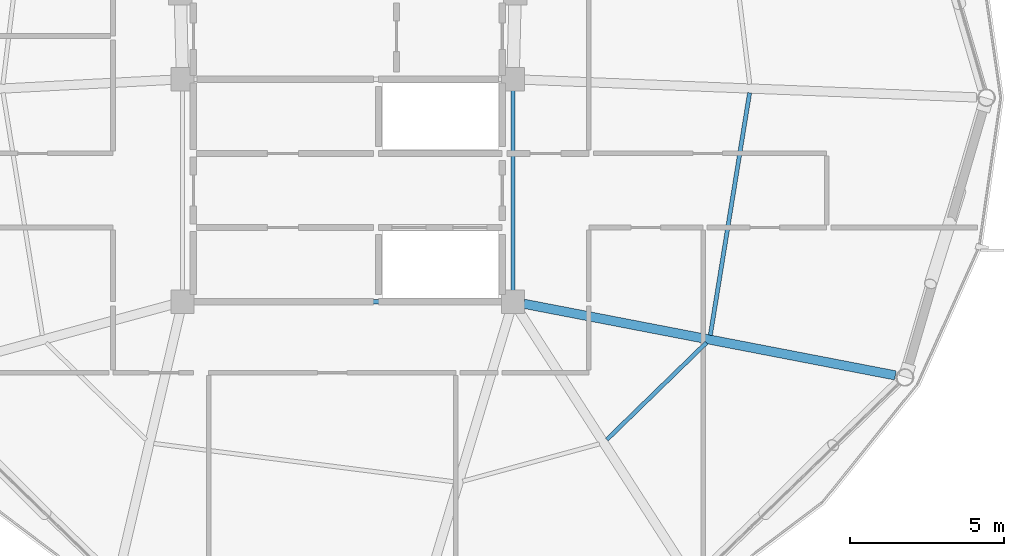
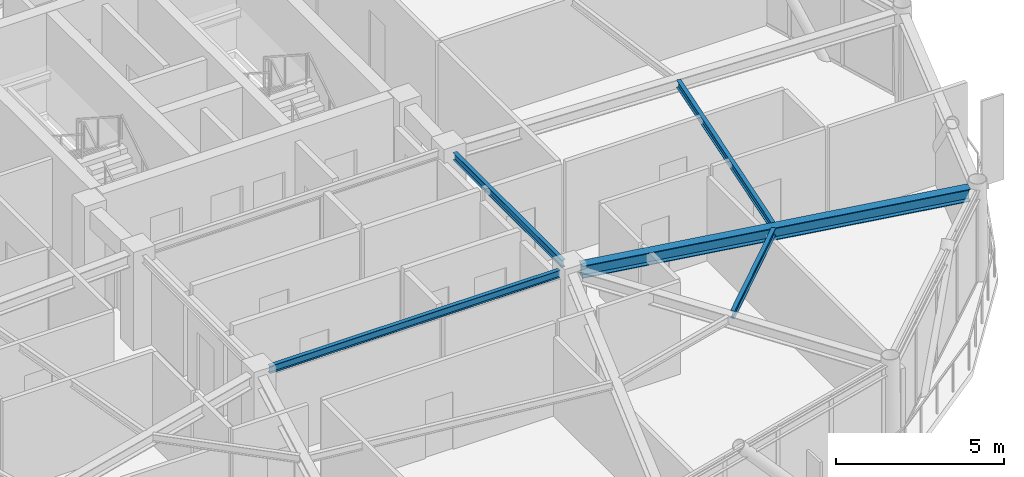
# One storey, part 10 of 27: 5 beams.
"""IFC4 building model written with IfcOpenShell, lengths in metres."""

from ifc_helpers import new_model, si_unit, direction, frame, origin, origin_2d, place, context, subcontext, project, spatial, i_section, extrude, material, material_profile, profile_set, type_object, element, save


model = new_model("IFC4")

# Units and contexts
model_context = context("Model", 3, precision=1e-05, world=origin(), true_north=direction((0.0, 1.0)))
body_context = subcontext(model_context, "Body", "Model", "MODEL_VIEW")
ifc_project = project(units=[si_unit("LENGTHUNIT", "METRE"), si_unit("AREAUNIT", "SQUARE_METRE"), si_unit("VOLUMEUNIT", "CUBIC_METRE"), si_unit("PLANEANGLEUNIT", "RADIAN"), si_unit("MASSUNIT", "GRAM", prefix="KILO")], contexts=[model_context])

# Site, building, storey
site_placement = place(None, origin())
site = spatial("IfcSite", under=ifc_project, at=site_placement, CompositionType="ELEMENT")
building_placement = place(site_placement, origin())
building = spatial("IfcBuilding", under=site, at=building_placement, Name="Varnakorn Sky Granary", CompositionType="ELEMENT")
storey_placement = place(building_placement, frame((0.0, 0.0, 229.199951171875)))
storey = spatial("IfcBuildingStorey", under=building, at=storey_placement, Name="L58", CompositionType="ELEMENT", Elevation=229.199951171875)

# Beams
ifc_material = material(Name="Steel S355JR", Category="steel")
ifc_material_profile_1 = material_profile(ifc_material, i_section(OverallWidth=0.300048828125, OverallDepth=0.449951171875, WebThickness=0.013916015625, FlangeThickness=0.02587890625, at=origin_2d()), Name="HE 450 B")
ifc_profile_set_1 = profile_set([ifc_material_profile_1], Name="Steel S355JR")
beam_type_1 = type_object("IfcBeamType", Name="BM-RAD-Z5", PredefinedType="BEAM", material=ifc_profile_set_1)
beam_1_placement = place(storey_placement, frame((8.698486328125, -6.667236328125, 3.135009765625), z_axis=(0.981911207846, -0.189341965517, 0.0), x_axis=(0.189341965517, 0.981911207846, 0.0)))
element("IfcBeam", 1, at=beam_1_placement, inside=storey, type_object=beam_type_1, Name="Radial Floor Girder RG12 L58", PredefinedType="BEAM", context=body_context, shape_type="SweptSolid", body=[
    extrude(i_section(OverallWidth=0.300048828125, OverallDepth=0.449951171875, WebThickness=0.013916015625, FlangeThickness=0.02587890625, at=origin_2d()), origin(), (0.0, 0.0, 1.0), 12.248046875),
])
ifc_material_profile_2 = material_profile(ifc_material, i_section(OverallWidth=0.135009765625, OverallDepth=0.27001953125, WebThickness=0.006591796875, FlangeThickness=0.01025390625, at=origin_2d()), Name="IPE 270")
ifc_profile_set_2 = profile_set([ifc_material_profile_2], Name="Steel S355JR")
beam_type_2 = type_object("IfcBeamType", Name="BM-SEC-Z5", PredefinedType="BEAM", material=ifc_profile_set_2)
beam_2_placement = place(storey_placement, frame((11.382568359375, -11.06640625, 3.22509765625), z_axis=(0.716686402226, 0.697395584202, 0.0), x_axis=(-0.697395584202, 0.716686402226, 0.0)))
element("IfcBeam", 2, at=beam_2_placement, inside=storey, type_object=beam_type_2, Name="Secondary Floor Chord Beam MSB11 L58", PredefinedType="BEAM", context=body_context, shape_type="SweptSolid", body=[
    extrude(i_section(OverallWidth=0.135009765625, OverallDepth=0.27001953125, WebThickness=0.006591796875, FlangeThickness=0.01025390625, at=origin_2d()), origin(), (0.0, 0.0, 1.0), 4.50537109375),
])
beam_3_placement = place(storey_placement, frame((14.734375, -7.688720703125, 3.22509765625), z_axis=(0.159911053953, 0.987131427331, 0.0), x_axis=(-0.987131427331, 0.159911053953, 0.0)))
element("IfcBeam", 3, at=beam_3_placement, inside=storey, type_object=beam_type_2, Name="Secondary Floor Chord Beam MSB12 L58", PredefinedType="BEAM", context=body_context, shape_type="SweptSolid", body=[
    extrude(i_section(OverallWidth=0.135009765625, OverallDepth=0.27001953125, WebThickness=0.006591796875, FlangeThickness=0.01025390625, at=origin_2d()), origin(), (0.0, 0.0, 1.0), 7.951171875),
])
beam_4_placement = place(storey_placement, frame((8.35009765625, 0.2451171875, 3.22509765625), z_axis=(0.0, -1.0, 0.0), x_axis=(1.0, 0.0, 0.0)))
element("IfcBeam", 4, at=beam_4_placement, inside=storey, type_object=beam_type_2, Name="Core Spine Framing Beam 4 L58", PredefinedType="BEAM", context=body_context, shape_type="SweptSolid", body=[
    extrude(i_section(OverallWidth=0.135009765625, OverallDepth=0.27001953125, WebThickness=0.006591796875, FlangeThickness=0.01025390625, at=origin_2d()), origin(), (0.0, 0.0, 1.0), 6.490234375),
])
beam_5_placement = place(storey_placement, frame((-1.9951171875, -6.60009765625, 3.22509765625), z_axis=(1.0, 0.0, 0.0), x_axis=(0.0, 1.0, 0.0)))
element("IfcBeam", 5, at=beam_5_placement, inside=storey, type_object=beam_type_2, Name="Core Spine Framing Beam 6 L58", PredefinedType="BEAM", context=body_context, shape_type="SweptSolid", body=[
    extrude(i_section(OverallWidth=0.135009765625, OverallDepth=0.27001953125, WebThickness=0.006591796875, FlangeThickness=0.01025390625, at=origin_2d()), origin(), (0.0, 0.0, 1.0), 9.990234375),
])

save(model, "model.ifc")
